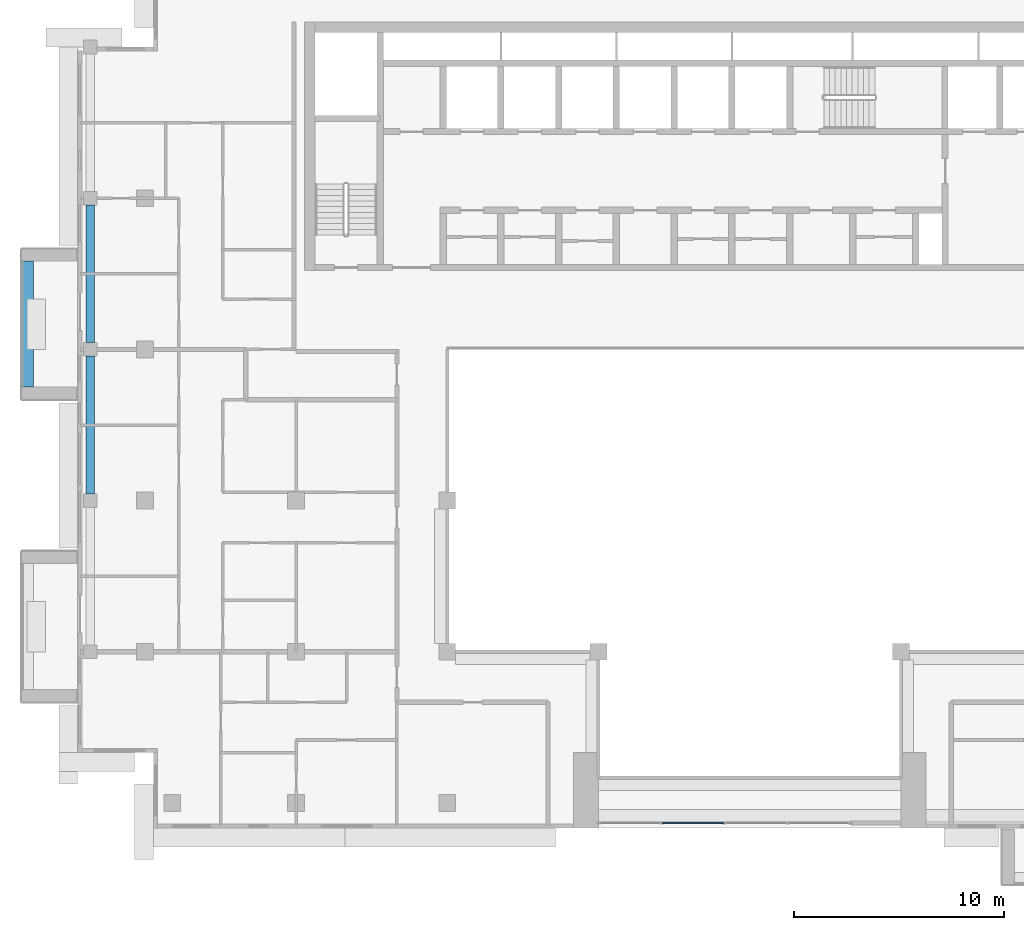
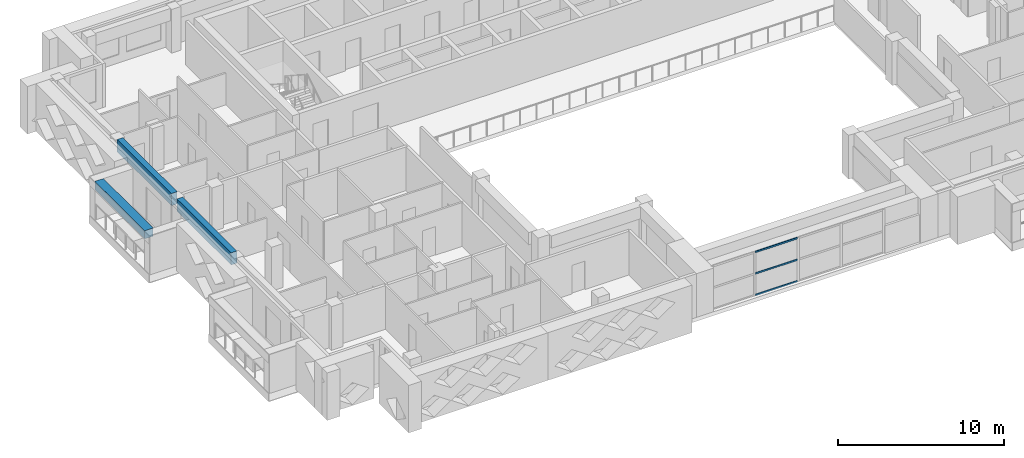
# One storey, part 3 of 19: 3 beams, 3 members, 1 element without a shape of its own.
"""IFC4 building model written with IfcOpenShell, lengths in metres."""

import ifcopenshell
import ifcopenshell.guid

model = None  # the IFC model being written
_history = None  # IfcOwnerHistory: only IFC2X3 demands one
_inside = {}  # id of a spatial element -> (the spatial element, [elements in it])
_under = {}  # id of a project, library or spatial element -> (it, [spatial elements below it])
_declared = {}  # id of a project -> (the project, [libraries it declares])
_typed = {}  # id of a type object -> (the type object, [elements of that type])
_made_of = {}  # id of a material, layer set ... -> (it, [elements and type objects made of it])


def new_model(schema):
    """Start an empty IFC model of exactly this schema.

    Asked for "IFC4X3", IfcOpenShell would pick the latest addendum, in which some entities
    have other attributes; the version numbers below select the first issue.
    IFC2X3 requires an IfcOwnerHistory on every rooted entity: one is made here for all.
    """
    global model, _history
    if schema == "IFC4X3":
        model = ifcopenshell.file(schema_version=(4, 3, 0, 0))
    else:
        model = ifcopenshell.file(schema=schema)
    _inside.clear()
    _under.clear()
    _declared.clear()
    _typed.clear()
    _made_of.clear()
    _history = None
    if model.schema == "IFC2X3":
        org = make("IfcOrganization", Name="unknown")
        user = make(
            "IfcPersonAndOrganization",
            ThePerson=make("IfcPerson", FamilyName="unknown"),
            TheOrganization=org,
        )
        app = make(
            "IfcApplication",
            ApplicationDeveloper=org,
            Version="unknown",
            ApplicationFullName="unknown",
            ApplicationIdentifier="unknown",
        )
        _history = make(
            "IfcOwnerHistory",
            OwningUser=user,
            OwningApplication=app,
            ChangeAction="ADDED",
            CreationDate=0,
        )
    return model


def make(cls, **values):
    """One entity of the class cls with the attributes given. An attribute that is None is left unset."""
    return model.create_entity(
        cls, **{name: value for name, value in values.items() if value is not None}
    )


def rooted(cls, **values):
    """An entity with a GlobalId (a new one), such as an element, a storey or a relation."""
    return make(cls, GlobalId=ifcopenshell.guid.new(), OwnerHistory=_history, **values)


def si_unit(unit_type, name, prefix=None):
    """IfcSIUnit, for example si_unit("LENGTHUNIT", "METRE", prefix="MILLI")."""
    return make("IfcSIUnit", UnitType=unit_type, Prefix=prefix, Name=name)


def assignment(units):
    """IfcUnitAssignment: the units of a project."""
    return None if units is None else make("IfcUnitAssignment", Units=units)


def point(xyz):
    """IfcCartesianPoint."""
    return None if xyz is None else make("IfcCartesianPoint", Coordinates=xyz)


def direction(xyz):
    """IfcDirection."""
    return None if xyz is None else make("IfcDirection", DirectionRatios=xyz)


def frame(location, z_axis=None, x_axis=None):
    """IfcAxis2Placement3D, a coordinate frame: its origin and axes. An axis left out is left unset."""
    return make(
        "IfcAxis2Placement3D",
        Location=point(location),
        Axis=direction(z_axis),
        RefDirection=direction(x_axis),
    )


def frame_2d(location, x_axis=None):
    """IfcAxis2Placement2D, a coordinate frame in the plane: its origin and x axis."""
    return make(
        "IfcAxis2Placement2D", Location=point(location), RefDirection=direction(x_axis)
    )


def origin():
    """The frame at (0, 0, 0) with its axes left unset."""
    return frame((0.0, 0.0, 0.0))


def origin_2d():
    """The frame at (0, 0) in the plane with its x axis left unset."""
    return frame_2d((0.0, 0.0))


def place(relative_to, where):
    """IfcLocalPlacement: puts the frame where relative to a parent placement (None: the world)."""
    return make(
        "IfcLocalPlacement", PlacementRelTo=relative_to, RelativePlacement=where
    )


def context(
    kind, dimensions, precision=None, world=None, true_north=None, identifier=None
):
    """IfcGeometricRepresentationContext, for example the 3D "Model" context."""
    return make(
        "IfcGeometricRepresentationContext",
        ContextIdentifier=identifier,
        ContextType=kind,
        CoordinateSpaceDimension=dimensions,
        Precision=precision,
        WorldCoordinateSystem=world,
        TrueNorth=true_north,
    )


def subcontext(parent, identifier, kind, view, scale=None):
    """IfcGeometricRepresentationSubContext, for example "Body" below "Model"."""
    return make(
        "IfcGeometricRepresentationSubContext",
        ContextIdentifier=identifier,
        ContextType=kind,
        ParentContext=parent,
        TargetScale=scale,
        TargetView=view,
    )


def project(units=None, contexts=None):
    """IfcProject with its units and contexts."""
    return rooted(
        "IfcProject",
        Name="project",
        RepresentationContexts=contexts,
        UnitsInContext=assignment(units),
    )


def spatial(cls, under=None, at=None, **own):
    """A site, building, storey or space (cls), placed at a placement, below another one or the project."""
    s = rooted(cls, ObjectPlacement=at, **own)
    if under is not None:
        _under.setdefault(under.id(), (under, []))[1].append(s)
    return s


def profile(cls, at=None, kind="AREA", **sizes):
    """A parametric profile (cls). Its sizes go by their IFC names, for example OverallWidth=200.0."""
    return make(cls, ProfileType=kind, Position=at, **sizes)


def rectangle(**sizes):
    """IfcRectangleProfileDef."""
    return profile("IfcRectangleProfileDef", **sizes)


def extrude(swept, where, along, depth):
    """IfcExtrudedAreaSolid: the profile swept, set in the frame where, extruded along a direction by depth."""
    return make(
        "IfcExtrudedAreaSolid",
        SweptArea=swept,
        Position=where,
        ExtrudedDirection=direction(along),
        Depth=depth,
    )


def shape(context_of_items, identifier, shape_type, items):
    """IfcShapeRepresentation: the items that make up one representation, for example the "Body"."""
    return make(
        "IfcShapeRepresentation",
        ContextOfItems=context_of_items,
        RepresentationIdentifier=identifier,
        RepresentationType=shape_type,
        Items=items,
    )


def source(mapping_origin, context_of_items, identifier, shape_type, items):
    """IfcRepresentationMap: a shape defined once, which mapped items show again and again."""
    return make(
        "IfcRepresentationMap",
        MappingOrigin=mapping_origin,
        MappedRepresentation=shape(context_of_items, identifier, shape_type, items),
    )


def transform(
    local_origin,
    x_axis=None,
    y_axis=None,
    z_axis=None,
    scale=None,
    scale2=None,
    scale3=None,
    uniform=True,
):
    """IfcCartesianTransformationOperator3D, or its non-uniform kind. x_axis, y_axis, z_axis: its Axis1, 2, 3."""
    if uniform:
        return make(
            "IfcCartesianTransformationOperator3D",
            Axis1=direction(x_axis),
            Axis2=direction(y_axis),
            LocalOrigin=point(local_origin),
            Scale=scale,
            Axis3=direction(z_axis),
        )
    return make(
        "IfcCartesianTransformationOperator3DnonUniform",
        Axis1=direction(x_axis),
        Axis2=direction(y_axis),
        LocalOrigin=point(local_origin),
        Scale=scale,
        Axis3=direction(z_axis),
        Scale2=scale2,
        Scale3=scale3,
    )


def mapped(mapping_source, mapping_target):
    """IfcMappedItem: shows the shape of a source again, moved by a transform."""
    return make(
        "IfcMappedItem", MappingSource=mapping_source, MappingTarget=mapping_target
    )


def material(Name=None, Category=None):
    """IfcMaterial."""
    return make("IfcMaterial", Name=Name, Category=Category)


def layer(
    of_material, thickness, ventilated=None, Name=None, Category=None, Priority=None
):
    """IfcMaterialLayer: one layer of a wall or slab, of a material (None: an air gap)."""
    return make(
        "IfcMaterialLayer",
        Material=of_material,
        LayerThickness=thickness,
        IsVentilated=ventilated,
        Name=Name,
        Category=Category,
        Priority=Priority,
    )


def layer_set(layers, Name=None):
    """IfcMaterialLayerSet."""
    return make("IfcMaterialLayerSet", MaterialLayers=layers, LayerSetName=Name)


def material_profile(
    of_material, cross_section, Name=None, Category=None, Priority=None
):
    """IfcMaterialProfile: a cross section and its material."""
    return make(
        "IfcMaterialProfile",
        Name=Name,
        Material=of_material,
        Profile=cross_section,
        Priority=Priority,
        Category=Category,
    )


def profile_set(profiles, Name=None, composite=None):
    """IfcMaterialProfileSet."""
    return make(
        "IfcMaterialProfileSet",
        Name=Name,
        MaterialProfiles=profiles,
        CompositeProfile=composite,
    )


def made_of(thing, what):
    """Note that an element or type object is made of a material, layer set ...; save() writes the relation."""
    if what is not None:
        _made_of.setdefault(what.id(), (what, []))[1].append(thing)
    return thing


def type_object(cls, material=None, **own):
    """A type object (cls), such as IfcWallType, which elements share."""
    return made_of(rooted(cls, **own), material)


def element(
    cls,
    number,
    at=None,
    inside=None,
    cuts=None,
    type_object=None,
    material=None,
    context=None,
    identifier="Body",
    shape_type=None,
    held_by="IfcProductDefinitionShape",
    body=None,
    shapes=None,
    **own,
):
    """One element of the class cls, such as IfcWall. Its Tag is "e" and its number.

    at: its placement. inside: the storey or other place that contains it. cuts: it is an
    opening in that element (IfcRelVoidsElement). A single representation is given by context,
    identifier, shape_type and body (its items); several are given by shapes. held_by: the class
    of the entity that holds the representations. save() writes the other relations.
    """
    e = rooted(cls, Tag="e%d" % number, ObjectPlacement=at, **own)
    if body is not None:
        shapes = [shape(context, identifier, shape_type, body)]
    if shapes is not None:
        e.Representation = make(held_by, Representations=shapes)
    if inside is not None:
        _inside.setdefault(inside.id(), (inside, []))[1].append(e)
    if cuts is not None:
        rooted(
            "IfcRelVoidsElement", RelatingBuildingElement=cuts, RelatedOpeningElement=e
        )
    if type_object is not None:
        _typed.setdefault(type_object.id(), (type_object, []))[1].append(e)
    return made_of(e, material)


def aggregate(whole, parts):
    """IfcRelAggregates: a whole, such as a stair, and the parts it consists of."""
    return rooted("IfcRelAggregates", RelatingObject=whole, RelatedObjects=parts)


def save(model, path):
    """Write the relations noted so far, then the file.

    IfcRelAggregates (storeys below a building ...), IfcRelContainedInSpatialStructure (elements
    in a storey), IfcRelDefinesByType, IfcRelAssociatesMaterial and IfcRelDeclares: one each for
    every whole, place, type object, material and project.
    """
    for whole, parts in _under.values():
        aggregate(whole, parts)
    for where, things in _inside.values():
        rooted(
            "IfcRelContainedInSpatialStructure",
            RelatedElements=things,
            RelatingStructure=where,
        )
    for kind, things in _typed.values():
        rooted("IfcRelDefinesByType", RelatedObjects=things, RelatingType=kind)
    for what, things in _made_of.values():
        rooted("IfcRelAssociatesMaterial", RelatedObjects=things, RelatingMaterial=what)
    for by, libraries in _declared.values():
        rooted("IfcRelDeclares", RelatingContext=by, RelatedDefinitions=libraries)
    model.write(path)


model = new_model("IFC4")

# Units and contexts
model_context = context("Model", 3, precision=1e-05, world=origin(), true_north=direction((0.0, 1.0)))
body_context = subcontext(model_context, "Body", "Model", "MODEL_VIEW")
ifc_project = project(units=[si_unit("LENGTHUNIT", "METRE"), si_unit("AREAUNIT", "SQUARE_METRE"), si_unit("VOLUMEUNIT", "CUBIC_METRE"), si_unit("PLANEANGLEUNIT", "RADIAN"), si_unit("MASSUNIT", "GRAM", prefix="KILO")], contexts=[model_context])

# Site, building, storey
site_placement = place(None, origin())
site = spatial("IfcSite", under=ifc_project, at=site_placement, CompositionType="ELEMENT")
building_placement = place(site_placement, origin())
building = spatial("IfcBuilding", under=site, at=building_placement, Name="Saffron Iwan Residences", CompositionType="ELEMENT")
storey_placement = place(building_placement, frame((0.0, 0.0, 250.0)))
storey = spatial("IfcBuildingStorey", under=building, at=storey_placement, Name="L67", CompositionType="ELEMENT", Elevation=250.0)

# Beams
ifc_material_1 = material(Name="Concrete C40/50", Category="concrete")
ifc_material_profile_1 = material_profile(ifc_material_1, rectangle(XDim=0.39990234375, YDim=0.89990234375, at=origin_2d()), Name="RC 400x900")
ifc_profile_set_1 = profile_set([ifc_material_profile_1], Name="Concrete C40/50")
beam_type_1 = type_object("IfcBeamType", Name="SPANDREL BEAM RC 400x900 C40/50 TOP 3220", PredefinedType="SPANDREL", material=ifc_profile_set_1)
shared_shape_1 = source(origin(), body_context, "Body", "SweptSolid", [
    extrude(rectangle(XDim=0.39990234375, YDim=0.89990234375, at=origin_2d()), origin(), (0.0, 0.0, 1.0), 6.550048828125),
])
beam_1_placement = place(storey_placement, frame((19.0, 55.52490234375, 2.77001953125), z_axis=(0.0, 1.0, 0.0), x_axis=(-1.0, 0.0, 0.0)))
element("IfcBeam", 1, at=beam_1_placement, inside=storey, type_object=beam_type_1, Name="Spandrel beam", PredefinedType="SPANDREL", context=body_context, shape_type="MappedRepresentation", body=[
    mapped(shared_shape_1, transform((0.0, 0.0, 0.0))),
])
shared_shape_2 = source(origin(), body_context, "Body", "SweptSolid", [
    extrude(rectangle(XDim=0.39990234375, YDim=0.89990234375, at=origin_2d()), origin(), (0.0, 0.0, 1.0), 6.5498046875),
])
beam_2_placement = place(storey_placement, frame((19.0, 62.72509765625, 2.77001953125), z_axis=(0.0, 1.0, 0.0), x_axis=(-1.0, 0.0, 0.0)))
element("IfcBeam", 2, at=beam_2_placement, inside=storey, type_object=beam_type_1, Name="Spandrel beam", PredefinedType="SPANDREL", context=body_context, shape_type="MappedRepresentation", body=[
    mapped(shared_shape_2, transform((0.0, 0.0, 0.0))),
])

# Curtain wall, members
ifc_material_2 = material(Name="Clear glass, laminated double glazed", Category="glass")
ifc_layer = layer(ifc_material_2, 0.199951171875)
ifc_layer_set = layer_set([ifc_layer], Name="Clear glass, laminated double glazed")
curtain_wall_type = type_object("IfcCurtainWallType", Name="CW-B IWAN PORTAL", PredefinedType="NOTDEFINED", material=ifc_layer_set)
curtain_wall_placement = place(storey_placement, origin())
curtain_wall = element("IfcCurtainWall", 3, at=curtain_wall_placement, inside=storey, type_object=curtain_wall_type, Name="Iwan portal glazing L67.1", PredefinedType="NOTDEFINED")
ifc_material_3 = material(Name="Aluminium 6063-T6", Category="aluminium")
ifc_material_profile_2 = material_profile(ifc_material_3, rectangle(XDim=0.06005859375, YDim=0.1201171875, at=origin_2d()), Name="CW-B TRANSOM 60 x 120")
ifc_profile_set_2 = profile_set([ifc_material_profile_2], Name="Aluminium 6063-T6")
member_type = type_object("IfcMemberType", Name="CW-B TRANSOM 60 x 120", PredefinedType="USERDEFINED", material=ifc_profile_set_2)
shared_shape_3 = source(origin(), body_context, "Body", "SweptSolid", [
    extrude(rectangle(XDim=0.06005859375, YDim=0.1201171875, at=origin_2d()), origin(), (0.0, 0.0, 1.0), 2.93994140625),
])
member_1_placement = place(storey_placement, frame((46.22998046875, 39.85009765625, 0.030029296875), z_axis=(1.0, 0.0, 0.0), x_axis=(0.0, 1.0, 0.0)))
member_1 = element("IfcMember", 4, at=member_1_placement, type_object=member_type, Name="CW-B transom 2.1", ObjectType="TRANSOM", PredefinedType="USERDEFINED", context=body_context, shape_type="MappedRepresentation", body=[
    mapped(shared_shape_3, transform((0.0, 0.0, 0.0))),
])
member_2_placement = place(storey_placement, frame((46.22998046875, 39.85009765625, 1.610107421875), z_axis=(1.0, 0.0, 0.0), x_axis=(0.0, 1.0, 0.0)))
member_2 = element("IfcMember", 5, at=member_2_placement, type_object=member_type, Name="CW-B transom 2.2", ObjectType="TRANSOM", PredefinedType="USERDEFINED", context=body_context, shape_type="MappedRepresentation", body=[
    mapped(shared_shape_3, transform((0.0, 0.0, 0.0))),
])
member_3_placement = place(storey_placement, frame((46.22998046875, 39.85009765625, 3.18994140625), z_axis=(1.0, 0.0, 0.0), x_axis=(0.0, 1.0, 0.0)))
member_3 = element("IfcMember", 6, at=member_3_placement, type_object=member_type, Name="CW-B transom 2.3", ObjectType="TRANSOM", PredefinedType="USERDEFINED", context=body_context, shape_type="MappedRepresentation", body=[
    mapped(shared_shape_3, transform((0.0, 0.0, 0.0))),
])
aggregate(curtain_wall, [member_1, member_2, member_3])

# Beam
ifc_material_4 = material(Name="Concrete C50/60 white painted", Category="concrete")
ifc_material_profile_3 = material_profile(ifc_material_4, rectangle(XDim=0.60009765625, YDim=0.60009765625, at=origin_2d()), Name="BALCONY FASCIA BEAM 600 x 600")
ifc_profile_set_3 = profile_set([ifc_material_profile_3], Name="Concrete C50/60 white painted")
beam_type_2 = type_object("IfcBeamType", Name="BALCONY FASCIA BEAM 600 x 600", PredefinedType="BEAM", material=ifc_profile_set_3)
shared_shape_4 = source(origin(), body_context, "Body", "SweptSolid", [
    extrude(rectangle(XDim=0.60009765625, YDim=0.60009765625, at=origin_2d()), origin(), (0.0, 0.0, 1.0), 6.0),
])
beam_3_placement = place(storey_placement, frame((16.0, 66.60009765625, 2.550048828125), z_axis=(0.0, -1.0, 0.0), x_axis=(1.0, 0.0, 0.0)))
element("IfcBeam", 7, at=beam_3_placement, inside=storey, type_object=beam_type_2, Name="Balcony fascia beam L67 F8-0", PredefinedType="BEAM", context=body_context, shape_type="MappedRepresentation", body=[
    mapped(shared_shape_4, transform((0.0, 0.0, 0.0))),
])

save(model, "model.ifc")
